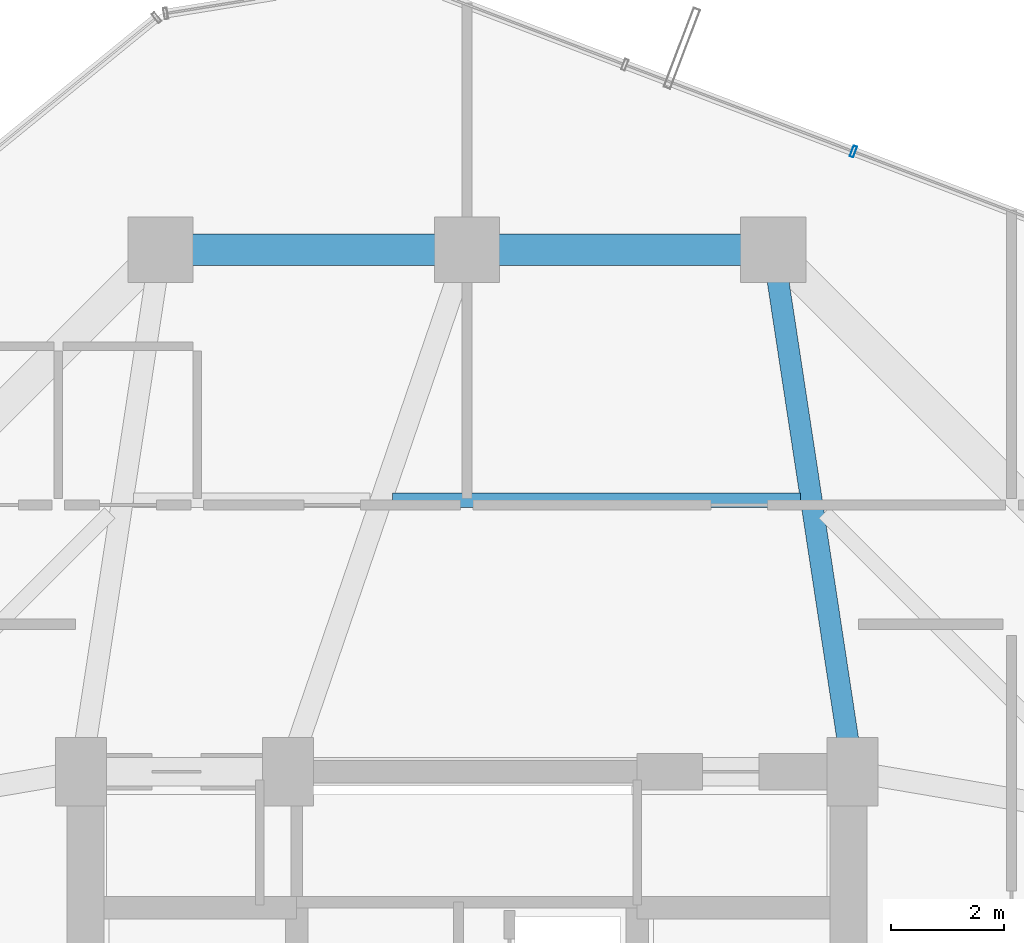
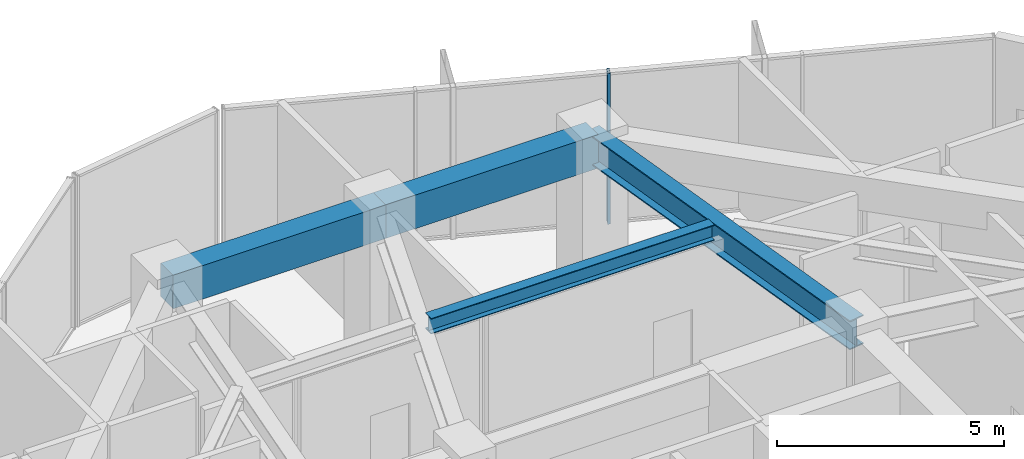
# One storey, part 17 of 26: 4 beams, 1 member, 1 element without a shape of its own.
"""IFC4 building model written with IfcOpenShell, lengths in metres."""

from ifc_helpers import new_model, si_unit, direction, frame, origin, origin_2d, place, context, subcontext, project, spatial, rectangle, hollow_rectangle, i_section, extrude, source, transform, mapped, material, layer, layer_set, material_profile, profile_set, type_object, element, aggregate, save


model = new_model("IFC4")

# Units and contexts
model_context = context("Model", 3, precision=1e-05, world=origin(), true_north=direction((0.0, 1.0)))
body_context = subcontext(model_context, "Body", "Model", "MODEL_VIEW")
ifc_project = project(units=[si_unit("LENGTHUNIT", "METRE"), si_unit("AREAUNIT", "SQUARE_METRE"), si_unit("VOLUMEUNIT", "CUBIC_METRE"), si_unit("PLANEANGLEUNIT", "RADIAN"), si_unit("MASSUNIT", "GRAM", prefix="KILO")], contexts=[model_context])

# Site, building, storey
site_placement = place(None, origin())
site = spatial("IfcSite", under=ifc_project, at=site_placement, CompositionType="ELEMENT")
building_placement = place(site_placement, origin())
building = spatial("IfcBuilding", under=site, at=building_placement, Name="Veraguas Prism Commons", CompositionType="ELEMENT")
storey_placement = place(building_placement, frame((0.0, 0.0, 158.75)))
storey = spatial("IfcBuildingStorey", under=building, at=storey_placement, Name="L45", CompositionType="ELEMENT", Elevation=158.75)

# Beams
ifc_material_1 = material(Name="Steel ASTM A992 Grade 50", Category="steel")
ifc_material_profile_1 = material_profile(ifc_material_1, i_section(OverallWidth=0.382080078125, OverallDepth=0.779052734375, WebThickness=0.01806640625, FlangeThickness=0.030029296875, at=origin_2d()), Name="W760X284")
ifc_profile_set_1 = profile_set([ifc_material_profile_1], Name="Steel ASTM A992 Grade 50")
beam_type_1 = type_object("IfcBeamType", Name="Assembly Primary Girder W760x284", PredefinedType="BEAM", material=ifc_profile_set_1)
beam_1_placement = place(storey_placement, frame((29.39990234375, 40.199951171875, 3.660400390625), z_axis=(0.150458162136, -0.98861637729, 0.0), x_axis=(0.98861637729, 0.150458162136, 0.0)))
element("IfcBeam", 1, at=beam_1_placement, inside=storey, type_object=beam_type_1, Name="Radial Floor Girder L45-RD04", PredefinedType="BEAM", context=body_context, shape_type="SweptSolid", body=[
    extrude(i_section(OverallWidth=0.382080078125, OverallDepth=0.779052734375, WebThickness=0.01806640625, FlangeThickness=0.030029296875, at=origin_2d()), origin(), (0.0, 0.0, 1.0), 9.305908203125),
])
ifc_material_profile_2 = material_profile(ifc_material_1, i_section(OverallWidth=0.260986328125, OverallDepth=0.419921875, WebThickness=0.01171875, FlangeThickness=0.019287109375, at=origin_2d()), Name="W410X114")
ifc_profile_set_2 = profile_set([ifc_material_profile_2], Name="Steel ASTM A992 Grade 50")
beam_type_2 = type_object("IfcBeamType", Name="Lower Floor Joist W410x114", PredefinedType="JOIST", material=ifc_profile_set_2)
beam_2_placement = place(storey_placement, frame((29.880859375, 35.783935546875, 3.840087890625), z_axis=(-1.0, 0.0, 0.0), x_axis=(0.0, -1.0, 0.0)))
element("IfcBeam", 2, at=beam_2_placement, inside=storey, type_object=beam_type_2, Name="Composite Floor Joist L45-JS04", PredefinedType="JOIST", context=body_context, shape_type="SweptSolid", body=[
    extrude(i_section(OverallWidth=0.260986328125, OverallDepth=0.419921875, WebThickness=0.01171875, FlangeThickness=0.019287109375, at=origin_2d()), origin(), (0.0, 0.0, 1.0), 7.193115234375),
])
ifc_material_2 = material(Name="Concrete C50/60", Category="concrete")
ifc_material_profile_3 = material_profile(ifc_material_2, rectangle(XDim=0.550048828125, YDim=0.89990234375, at=origin_2d()), Name="RC550X900")
ifc_profile_set_3 = profile_set([ifc_material_profile_3], Name="Concrete C50/60")
beam_type_3 = type_object("IfcBeamType", Name="Perimeter Spandrel Lower RC 550x900", PredefinedType="SPANDREL", material=ifc_profile_set_3)
for number, where, z_axis, x_axis, name in (
    (3, (29.39990234375, 40.199951171875, 3.60009765625), (-1.0, 0.0, 0.0), (0.0, -1.0, 0.0), "Perimeter Spandrel Beam L45-SP04"),
    (4, (24.0, 40.199951171875, 3.60009765625), (-1.0, 0.0, 0.0), (0.0, -1.0, 0.0), "Perimeter Spandrel Beam L45-SP05"),
):
    element("IfcBeam", number, at=place(storey_placement, frame(where, z_axis=z_axis, x_axis=x_axis)), inside=storey, type_object=beam_type_3, Name=name, PredefinedType="SPANDREL", context=body_context, shape_type="SweptSolid", body=[
        extrude(rectangle(XDim=0.550048828125, YDim=0.89990234375, at=origin_2d()), origin(), (0.0, 0.0, 1.0), 5.39990234375),
    ])

# Curtain wall, member
ifc_material_3 = material(Name="Anodised aluminium EN AW-6063 T6", Category="aluminium")
ifc_layer = layer(ifc_material_3, 0.199951171875, Name="Sky Lobby and Pool Acoustic Curtain Wall", Category="aluminium")
ifc_layer_set = layer_set([ifc_layer], Name="Anodised aluminium EN AW-6063 T6")
curtain_wall_type = type_object("IfcCurtainWallType", Name="Sky Lobby and Pool Acoustic Curtain Wall", PredefinedType="NOTDEFINED", material=ifc_layer_set)
curtain_wall_placement = place(storey_placement, origin())
curtain_wall = element("IfcCurtainWall", 5, at=curtain_wall_placement, inside=storey, type_object=curtain_wall_type, Name="Tower Facade Curtain Wall L45-F1", PredefinedType="NOTDEFINED")
ifc_material_profile_4 = material_profile(ifc_material_3, hollow_rectangle(XDim=0.06494140625, YDim=0.199951171875, WallThickness=0.00390625, at=origin_2d()), Name="AL65X200X4")
ifc_profile_set_4 = profile_set([ifc_material_profile_4], Name="Anodised aluminium EN AW-6063 T6")
member_type = type_object("IfcMemberType", Name="Curtain Wall Mullion Heavy AL 65x200x4", PredefinedType="MULLION", material=ifc_profile_set_4)
shared_shape = source(origin(), body_context, "Body", "SweptSolid", [
    extrude(hollow_rectangle(XDim=0.06494140625, YDim=0.199951171875, WallThickness=0.00390625, at=origin_2d()), origin(), (0.0, 0.0, 1.0), 4.050048828125),
])
member_placement = place(storey_placement, frame((30.811767578125, 41.93212890625, 0.0), z_axis=(0.0, 0.0, 1.0), x_axis=(-0.934824436833, 0.355110225563, 0.0)))
member = element("IfcMember", 6, at=member_placement, type_object=member_type, Name="CW-SKY Mullion 3", PredefinedType="MULLION", context=body_context, shape_type="MappedRepresentation", body=[
    mapped(shared_shape, transform((0.0, 0.0, 0.0), scale=1.0)),
])
aggregate(curtain_wall, [member])

save(model, "model.ifc")
